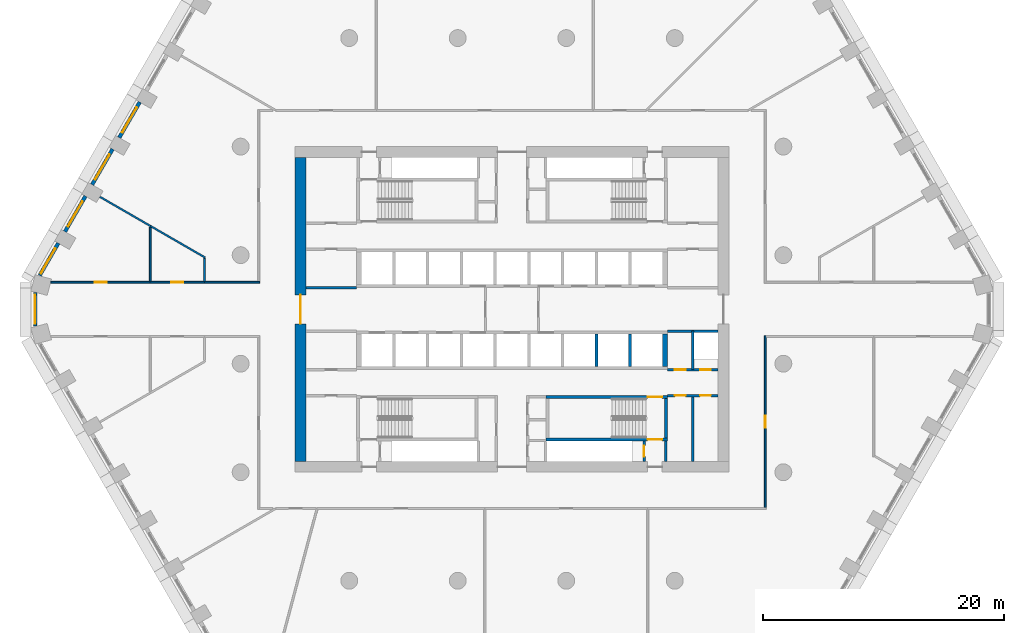
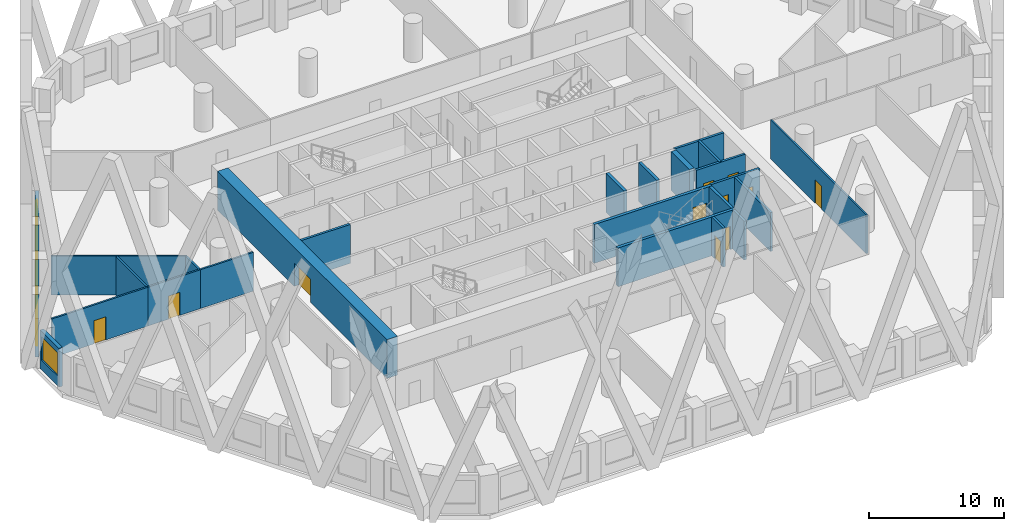
# One storey, part 4 of 18: 28 walls, 11 doors, 5 windows, 16 openings.
"""IFC4 building model written with IfcOpenShell, lengths in metres."""

from ifc_helpers import new_model, si_unit, direction, frame, frame_2d, origin, place, context, subcontext, project, spatial, polyline, rectangle, outline, extrude, material, layer, layer_set, type_object, element, fill, save


model = new_model("IFC4")

# Units and contexts
model_context = context("Model", 3, precision=1e-05, world=origin(), true_north=direction((0.0, 1.0)))
body_context = subcontext(model_context, "Body", "Model", "MODEL_VIEW")
ifc_project = project(units=[si_unit("LENGTHUNIT", "METRE"), si_unit("AREAUNIT", "SQUARE_METRE"), si_unit("VOLUMEUNIT", "CUBIC_METRE"), si_unit("PLANEANGLEUNIT", "RADIAN"), si_unit("MASSUNIT", "GRAM", prefix="KILO")], contexts=[model_context])

# Site, building, storey
site_placement = place(None, origin())
site = spatial("IfcSite", under=ifc_project, at=site_placement, CompositionType="ELEMENT")
building_placement = place(site_placement, origin())
building = spatial("IfcBuilding", under=site, at=building_placement, Name="Dhurran Vertical Campus", CompositionType="ELEMENT")
storey_placement = place(building_placement, frame((0.0, 0.0, 30.0)))
storey = spatial("IfcBuildingStorey", under=building, at=storey_placement, Name="L06", CompositionType="ELEMENT", Elevation=30.0)

# Wall, opening, window
ifc_material_1 = material(Name="Precast concrete C50/60", Category="concrete")
ifc_layer_1 = layer(ifc_material_1, 0.300048828125)
ifc_layer_set_1 = layer_set([ifc_layer_1], Name="Precast concrete C50/60")
wall_type_1 = type_object("IfcWallType", Name="Precast spandrel wall 300", PredefinedType="SOLIDWALL", material=ifc_layer_set_1)
wall_1_placement = place(storey_placement, frame((-30.869384765625, 17.186767578125, 0.0), z_axis=(0.0, 0.0, 1.0), x_axis=(-0.499993955907, -0.866028893315, 0.0)))
wall_1 = element("IfcWall", 1, at=wall_1_placement, inside=storey, type_object=wall_type_1, Name="EW1 L06.39", PredefinedType="SOLIDWALL", context=body_context, shape_type="SweptSolid", body=[
    extrude(rectangle(XDim=3.39892578125, YDim=0.300048828125, at=frame_2d((1.699462890625, 0.0))), origin(), (0.0, 0.0, 1.0), 3.52490234375),
])
opening_1_placement = place(wall_1_placement, frame((0.49951171875, 0.0, 0.89990234375)))
opening_1 = element("IfcOpeningElement", 2, at=opening_1_placement, cuts=wall_1, Name="Opening WT1", PredefinedType="OPENING", context=body_context, shape_type="SweptSolid", body=[
    extrude(rectangle(XDim=2.39990234375, YDim=2.10009765625, at=frame_2d((1.199951171875, 1.050048828125))), frame((0.0, 0.159912109375, 0.0), z_axis=(0.0, -1.0, 0.0), x_axis=(1.0, 0.0, 0.0)), (0.0, 0.0, 1.0), 0.320068359375),
])
ifc_material_2 = material(Name="Aluminium frame with solar-control glass", Category="aluminium")
window_type = type_object("IfcWindowType", Name="Punched window 2400 x 2100", PartitioningType="SINGLE_PANEL", PredefinedType="WINDOW", material=ifc_material_2)
window_1_placement = place(opening_1_placement, origin())
window_1 = element("IfcWindow", 3, at=window_1_placement, inside=storey, type_object=window_type, Name="WT1 L06.39", OverallHeight=2.10009765625, OverallWidth=2.39990234375, PartitioningType="SINGLE_PANEL", PredefinedType="WINDOW", context=body_context, shape_type="SweptSolid", body=[
    extrude(rectangle(XDim=2.39990234375, YDim=2.10009765625, at=frame_2d((1.199951171875, 1.050048828125))), frame((0.0, 0.030029296875, 0.0), z_axis=(0.0, -1.0, 0.0), x_axis=(1.0, 0.0, 0.0)), (0.0, 0.0, 1.0), 0.06005859375),
])
fill(opening_1, window_1)

wall_2_placement = place(storey_placement, frame((-33.119384765625, 13.28955078125, 0.0), z_axis=(0.0, 0.0, 1.0), x_axis=(-0.499993955907, -0.866028893315, 0.0)))
wall_2 = element("IfcWall", 4, at=wall_2_placement, inside=storey, type_object=wall_type_1, Name="EW1 L06.40", PredefinedType="SOLIDWALL", context=body_context, shape_type="SweptSolid", body=[
    extrude(rectangle(XDim=3.39892578125, YDim=0.300048828125, at=frame_2d((1.699462890625, 0.0))), origin(), (0.0, 0.0, 1.0), 3.52490234375),
])
opening_2_placement = place(wall_2_placement, frame((0.49951171875, 0.0, 0.89990234375)))
opening_2 = element("IfcOpeningElement", 5, at=opening_2_placement, cuts=wall_2, Name="Opening WT1", PredefinedType="OPENING", context=body_context, shape_type="SweptSolid", body=[
    extrude(rectangle(XDim=2.39990234375, YDim=2.10009765625, at=frame_2d((1.199951171875, 1.050048828125))), frame((0.0, 0.159912109375, 0.0), z_axis=(0.0, -1.0, 0.0), x_axis=(1.0, 0.0, 0.0)), (0.0, 0.0, 1.0), 0.320068359375),
])
window_2_placement = place(opening_2_placement, origin())
window_2 = element("IfcWindow", 6, at=window_2_placement, inside=storey, type_object=window_type, Name="WT1 L06.40", OverallHeight=2.10009765625, OverallWidth=2.39990234375, PartitioningType="SINGLE_PANEL", PredefinedType="WINDOW", context=body_context, shape_type="SweptSolid", body=[
    extrude(rectangle(XDim=2.39990234375, YDim=2.10009765625, at=frame_2d((1.199951171875, 1.050048828125))), frame((0.0, 0.030029296875, 0.0), z_axis=(0.0, -1.0, 0.0), x_axis=(1.0, 0.0, 0.0)), (0.0, 0.0, 1.0), 0.06005859375),
])
fill(opening_2, window_2)

wall_3_placement = place(storey_placement, frame((-35.369384765625, 9.392578125, 0.0), z_axis=(0.0, 0.0, 1.0), x_axis=(-0.499993955907, -0.866028893315, 0.0)))
wall_3 = element("IfcWall", 7, at=wall_3_placement, inside=storey, type_object=wall_type_1, Name="EW1 L06.41", PredefinedType="SOLIDWALL", context=body_context, shape_type="SweptSolid", body=[
    extrude(rectangle(XDim=3.39892578125, YDim=0.300048828125, at=frame_2d((1.699462890625, 0.0))), origin(), (0.0, 0.0, 1.0), 3.52490234375),
])
opening_3_placement = place(wall_3_placement, frame((0.49951171875, 0.0, 0.89990234375)))
opening_3 = element("IfcOpeningElement", 8, at=opening_3_placement, cuts=wall_3, Name="Opening WT1", PredefinedType="OPENING", context=body_context, shape_type="SweptSolid", body=[
    extrude(rectangle(XDim=2.39990234375, YDim=2.10009765625, at=frame_2d((1.199951171875, 1.050048828125))), frame((0.0, 0.159912109375, 0.0), z_axis=(0.0, -1.0, 0.0), x_axis=(1.0, 0.0, 0.0)), (0.0, 0.0, 1.0), 0.320068359375),
])
window_3_placement = place(opening_3_placement, origin())
window_3 = element("IfcWindow", 9, at=window_3_placement, inside=storey, type_object=window_type, Name="WT1 L06.41", OverallHeight=2.10009765625, OverallWidth=2.39990234375, PartitioningType="SINGLE_PANEL", PredefinedType="WINDOW", context=body_context, shape_type="SweptSolid", body=[
    extrude(rectangle(XDim=2.39990234375, YDim=2.10009765625, at=frame_2d((1.199951171875, 1.050048828125))), frame((0.0, 0.030029296875, 0.0), z_axis=(0.0, -1.0, 0.0), x_axis=(1.0, 0.0, 0.0)), (0.0, 0.0, 1.0), 0.06005859375),
])
fill(opening_3, window_3)

wall_4_placement = place(storey_placement, frame((-37.619384765625, 5.495361328125, 0.0), z_axis=(0.0, 0.0, 1.0), x_axis=(-0.49997090907, -0.866042198789, 0.0)))
wall_4 = element("IfcWall", 10, at=wall_4_placement, inside=storey, type_object=wall_type_1, Name="EW1 L06.42", PredefinedType="SOLIDWALL", context=body_context, shape_type="SweptSolid", body=[
    extrude(rectangle(XDim=3.090576171875, YDim=0.300048828125, at=frame_2d((1.54541015625, 0.0))), origin(), (0.0, 0.0, 1.0), 3.52490234375),
])
opening_4_placement = place(wall_4_placement, frame((0.49951171875, 0.0, 0.89990234375)))
opening_4 = element("IfcOpeningElement", 11, at=opening_4_placement, cuts=wall_4, Name="Opening WT1", PredefinedType="OPENING", context=body_context, shape_type="SweptSolid", body=[
    extrude(rectangle(XDim=2.39990234375, YDim=2.10009765625, at=frame_2d((1.199951171875, 1.050048828125))), frame((0.0, 0.159912109375, 0.0), z_axis=(0.0, -1.0, 0.0), x_axis=(1.0, 0.0, 0.0)), (0.0, 0.0, 1.0), 0.320068359375),
])
window_4_placement = place(opening_4_placement, origin())
window_4 = element("IfcWindow", 12, at=window_4_placement, inside=storey, type_object=window_type, Name="WT1 L06.42", OverallHeight=2.10009765625, OverallWidth=2.39990234375, PartitioningType="SINGLE_PANEL", PredefinedType="WINDOW", context=body_context, shape_type="SweptSolid", body=[
    extrude(rectangle(XDim=2.39990234375, YDim=2.10009765625, at=frame_2d((1.199951171875, 1.050048828125))), frame((0.0, 0.030029296875, 0.0), z_axis=(0.0, -1.0, 0.0), x_axis=(1.0, 0.0, 0.0)), (0.0, 0.0, 1.0), 0.06005859375),
])
fill(opening_4, window_4)

wall_5_placement = place(storey_placement, frame((-39.547119140625, 1.39111328125, 0.0), z_axis=(0.0, 0.0, 1.0), x_axis=(0.0, -1.0, 0.0)))
wall_5 = element("IfcWall", 13, at=wall_5_placement, inside=storey, type_object=wall_type_1, Name="EW1 L06.43", PredefinedType="SOLIDWALL", context=body_context, shape_type="SweptSolid", body=[
    extrude(rectangle(XDim=2.7822265625, YDim=0.300048828125, at=frame_2d((1.39111328125, 0.0))), origin(), (0.0, 0.0, 1.0), 3.52490234375),
])
opening_5_placement = place(wall_5_placement, frame((0.191162109375, 0.0, 0.89990234375)))
opening_5 = element("IfcOpeningElement", 14, at=opening_5_placement, cuts=wall_5, Name="Opening WT1", PredefinedType="OPENING", context=body_context, shape_type="SweptSolid", body=[
    extrude(rectangle(XDim=2.39990234375, YDim=2.10009765625, at=frame_2d((1.199951171875, 1.050048828125))), frame((0.0, 0.159912109375, 0.0), z_axis=(0.0, -1.0, 0.0), x_axis=(1.0, 0.0, 0.0)), (0.0, 0.0, 1.0), 0.320068359375),
])
window_5_placement = place(opening_5_placement, origin())
window_5 = element("IfcWindow", 15, at=window_5_placement, inside=storey, type_object=window_type, Name="WT1 L06.43", OverallHeight=2.10009765625, OverallWidth=2.39990234375, PartitioningType="SINGLE_PANEL", PredefinedType="WINDOW", context=body_context, shape_type="SweptSolid", body=[
    extrude(rectangle(XDim=2.39990234375, YDim=2.10009765625, at=frame_2d((1.199951171875, 1.050048828125))), frame((0.0, 0.030029296875, 0.0), z_axis=(0.0, -1.0, 0.0), x_axis=(1.0, 0.0, 0.0)), (0.0, 0.0, 1.0), 0.06005859375),
])
fill(opening_5, window_5)

# Wall, opening, door
ifc_material_3 = material(Name="Concrete C60/75", Category="concrete")
ifc_layer_2 = layer(ifc_material_3, 0.89990234375)
ifc_layer_set_2 = layer_set([ifc_layer_2], Name="Concrete C60/75")
wall_type_2 = type_object("IfcWallType", Name="co-CORE-WALL-C0-900", PredefinedType="SHEAR", material=ifc_layer_set_2)
wall_6_placement = place(storey_placement, frame((-17.550048828125, -12.60009765625, 0.0), z_axis=(0.0, 0.0, 1.0), x_axis=(0.0, 1.0, 0.0)))
wall_6 = element("IfcWall", 16, at=wall_6_placement, inside=storey, type_object=wall_type_2, Name="Core wall W L06", PredefinedType="SHEAR", context=body_context, shape_type="SweptSolid", body=[
    extrude(rectangle(XDim=25.2001953125, YDim=0.89990234375, at=frame_2d((12.60009765625, 0.0))), origin(), (0.0, 0.0, 1.0), 3.52490234375),
])
opening_6_placement = place(wall_6_placement, frame((11.39990234375, 0.0, 0.0)))
opening_6 = element("IfcOpeningElement", 17, at=opening_6_placement, cuts=wall_6, Name="Opening CL1", PredefinedType="OPENING", context=body_context, shape_type="SweptSolid", body=[
    extrude(rectangle(XDim=2.39990234375, YDim=2.10009765625, at=frame_2d((1.199951171875, 1.050048828125))), frame((0.0, 0.4599609375, 0.0), z_axis=(0.0, -1.0, 0.0), x_axis=(1.0, 0.0, 0.0)), (0.0, 0.0, 1.0), 0.919921875),
])
ifc_material_4 = material(Name="Fire-rated glazed door set")
door_type_1 = type_object("IfcDoorType", Name="co-D-LOBBY 2400x2100", OperationType="DOUBLE_DOOR_DOUBLE_SWING", PredefinedType="DOOR", material=ifc_material_4)
door_1_placement = place(opening_6_placement, origin())
door_1 = element("IfcDoor", 18, at=door_1_placement, inside=storey, type_object=door_type_1, Name="Lift lobby door W L06", OperationType="DOUBLE_DOOR_DOUBLE_SWING", OverallHeight=2.10009765625, OverallWidth=2.39990234375, PredefinedType="DOOR", context=body_context, shape_type="SweptSolid", body=[
    extrude(rectangle(XDim=2.39990234375, YDim=2.10009765625, at=frame_2d((1.199951171875, 1.050048828125))), frame((0.0, 0.02490234375, 0.0), z_axis=(0.0, -1.0, 0.0), x_axis=(1.0, 0.0, 0.0)), (0.0, 0.0, 1.0), 0.050048828125),
])
fill(opening_6, door_1)

# Wall
ifc_material_5 = material(Name="Fire-rated masonry blockwork", Category="masonry")
ifc_layer_3 = layer(ifc_material_5, 0.199951171875)
ifc_layer_set_3 = layer_set([ifc_layer_3], Name="Fire-rated masonry blockwork")
wall_type_3 = type_object("IfcWallType", Name="co-FIRE-PARTITION-200", PredefinedType="PARTITIONING", material=ifc_layer_set_3)
wall_7_placement = place(storey_placement, frame((12.75, -12.60009765625, 0.0), z_axis=(0.0, 0.0, 1.0), x_axis=(0.0, 1.0, 0.0)))
element("IfcWall", 19, at=wall_7_placement, inside=storey, type_object=wall_type_3, Name="Core partition pass-ST4-o L06", PredefinedType="PARTITIONING", context=body_context, shape_type="SweptSolid", body=[
    extrude(rectangle(XDim=1.7001953125, YDim=0.199951171875, at=frame_2d((0.85009765625, 0.0))), origin(), (0.0, 0.0, 1.0), 3.52490234375),
])

# Wall, opening, door
wall_8_placement = place(storey_placement, frame((10.949951171875, -12.60009765625, 0.0), z_axis=(0.0, 0.0, 1.0), x_axis=(0.0, 1.0, 0.0)))
wall_8 = element("IfcWall", 20, at=wall_8_placement, inside=storey, type_object=wall_type_3, Name="Core partition pass-ST4-i L06", PredefinedType="PARTITIONING", context=body_context, shape_type="SweptSolid", body=[
    extrude(rectangle(XDim=1.7001953125, YDim=0.199951171875, at=frame_2d((0.85009765625, 0.0))), origin(), (0.0, 0.0, 1.0), 3.52490234375),
])
opening_7_placement = place(wall_8_placement, frame((0.39990234375, 0.0, 0.0)))
opening_7 = element("IfcOpeningElement", 21, at=opening_7_placement, cuts=wall_8, Name="Opening T01-C12", PredefinedType="OPENING", context=body_context, shape_type="SweptSolid", body=[
    extrude(rectangle(XDim=0.89990234375, YDim=2.10009765625, at=frame_2d((0.449951171875, 1.050048828125))), frame((0.0, 0.10986328125, 0.0), z_axis=(0.0, -1.0, 0.0), x_axis=(1.0, 0.0, 0.0)), (0.0, 0.0, 1.0), 0.219970703125),
])
ifc_material_6 = material(Name="Fire-rated timber door set", Category="wood")
door_type_2 = type_object("IfcDoorType", Name="co-D-ROOM 900x2100", OperationType="SINGLE_SWING_LEFT", PredefinedType="DOOR", material=ifc_material_6)
door_2_placement = place(opening_7_placement, origin())
door_2 = element("IfcDoor", 22, at=door_2_placement, inside=storey, type_object=door_type_2, Name="Riser room door L06", OperationType="SINGLE_SWING_LEFT", OverallHeight=2.10009765625, OverallWidth=0.89990234375, PredefinedType="DOOR", context=body_context, shape_type="SweptSolid", body=[
    extrude(rectangle(XDim=0.89990234375, YDim=2.10009765625, at=frame_2d((0.449951171875, 1.050048828125))), frame((0.0, 0.02490234375, 0.0), z_axis=(0.0, -1.0, 0.0), x_axis=(1.0, 0.0, 0.0)), (0.0, 0.0, 1.0), 0.050048828125),
])
fill(opening_7, door_2)

# Walls
wall_9_placement = place(storey_placement, frame((-17.10009765625, 1.800048828125, 0.0), z_axis=(0.0, 0.0, 1.0), x_axis=(1.0, 0.0, 0.0)))
element("IfcWall", 23, at=wall_9_placement, inside=storey, type_object=wall_type_3, Name="Core partition es-NW-l L06", PredefinedType="PARTITIONING", context=body_context, shape_type="SweptSolid", body=[
    extrude(rectangle(XDim=4.2001953125, YDim=0.199951171875, at=frame_2d((2.10009765625, 0.0))), origin(), (0.0, 0.0, 1.0), 3.52490234375),
])
wall_10_placement = place(storey_placement, frame((15.0, -12.60009765625, 0.0), z_axis=(0.0, 0.0, 1.0), x_axis=(0.0, 1.0, 0.0)))
element("IfcWall", 24, at=wall_10_placement, inside=storey, type_object=wall_type_3, Name="Core partition en-SE-cut0 L06", PredefinedType="PARTITIONING", context=body_context, shape_type="SweptSolid", body=[
    extrude(rectangle(XDim=5.4501953125, YDim=0.199951171875, at=frame_2d((2.72509765625, 0.0))), origin(), (0.0, 0.0, 1.0), 3.52490234375),
])

# Wall, openings, doors
wall_11_placement = place(storey_placement, frame((12.89990234375, -7.14990234375, 0.0), z_axis=(0.0, 0.0, 1.0), x_axis=(1.0, 0.0, 0.0)))
wall_11 = element("IfcWall", 25, at=wall_11_placement, inside=storey, type_object=wall_type_3, Name="Core partition en-SE-w L06", PredefinedType="PARTITIONING", context=body_context, shape_type="SweptSolid", body=[
    extrude(rectangle(XDim=4.2001953125, YDim=0.199951171875, at=frame_2d((2.10009765625, 0.0))), origin(), (0.0, 0.0, 1.0), 3.52490234375),
])
opening_8_placement = place(wall_11_placement, frame((0.60009765625, 0.0, 0.0)))
opening_8 = element("IfcOpeningElement", 26, at=opening_8_placement, cuts=wall_11, Name="Opening T01-C19", PredefinedType="OPENING", context=body_context, shape_type="SweptSolid", body=[
    extrude(rectangle(XDim=0.89990234375, YDim=2.10009765625, at=frame_2d((0.449951171875, 1.050048828125))), frame((0.0, 0.10986328125, 0.0), z_axis=(0.0, -1.0, 0.0), x_axis=(1.0, 0.0, 0.0)), (0.0, 0.0, 1.0), 0.219970703125),
])
opening_9_placement = place(wall_11_placement, frame((2.699951171875, 0.0, 0.0)))
opening_9 = element("IfcOpeningElement", 27, at=opening_9_placement, cuts=wall_11, Name="Opening T01-C20", PredefinedType="OPENING", context=body_context, shape_type="SweptSolid", body=[
    extrude(rectangle(XDim=0.89990234375, YDim=2.10009765625, at=frame_2d((0.449951171875, 1.050048828125))), frame((0.0, 0.10986328125, 0.0), z_axis=(0.0, -1.0, 0.0), x_axis=(1.0, 0.0, 0.0)), (0.0, 0.0, 1.0), 0.219970703125),
])
door_3_placement = place(opening_8_placement, origin())
door_3 = element("IfcDoor", 28, at=door_3_placement, inside=storey, type_object=door_type_2, Name="Fire equipment store door L06", OperationType="SINGLE_SWING_LEFT", OverallHeight=2.10009765625, OverallWidth=0.89990234375, PredefinedType="DOOR", context=body_context, shape_type="SweptSolid", body=[
    extrude(rectangle(XDim=0.89990234375, YDim=2.10009765625, at=frame_2d((0.449951171875, 1.050048828125))), frame((0.0, 0.02490234375, 0.0), z_axis=(0.0, -1.0, 0.0), x_axis=(1.0, 0.0, 0.0)), (0.0, 0.0, 1.0), 0.050048828125),
])
fill(opening_8, door_3)
door_4_placement = place(opening_9_placement, origin())
door_4 = element("IfcDoor", 29, at=door_4_placement, inside=storey, type_object=door_type_2, Name="Housekeeping store door L06", OperationType="SINGLE_SWING_LEFT", OverallHeight=2.10009765625, OverallWidth=0.89990234375, PredefinedType="DOOR", context=body_context, shape_type="SweptSolid", body=[
    extrude(rectangle(XDim=0.89990234375, YDim=2.10009765625, at=frame_2d((0.449951171875, 1.050048828125))), frame((0.0, 0.02490234375, 0.0), z_axis=(0.0, -1.0, 0.0), x_axis=(1.0, 0.0, 0.0)), (0.0, 0.0, 1.0), 0.050048828125),
])
fill(opening_9, door_4)

# Wall
wall_12_placement = place(storey_placement, frame((15.0, -5.0, 0.0), z_axis=(0.0, 0.0, 1.0), x_axis=(0.0, 1.0, 0.0)))
element("IfcWall", 30, at=wall_12_placement, inside=storey, type_object=wall_type_3, Name="Core partition es-SE-cut0 L06", PredefinedType="PARTITIONING", context=body_context, shape_type="SweptSolid", body=[
    extrude(rectangle(XDim=3.199951171875, YDim=0.199951171875, at=frame_2d((1.60009765625, 0.0))), origin(), (0.0, 0.0, 1.0), 3.52490234375),
])

# Wall, openings, doors
wall_13_placement = place(storey_placement, frame((12.89990234375, -5.0, 0.0), z_axis=(0.0, 0.0, 1.0), x_axis=(1.0, 0.0, 0.0)))
wall_13 = element("IfcWall", 31, at=wall_13_placement, inside=storey, type_object=wall_type_3, Name="Core partition es-SE-w L06", PredefinedType="PARTITIONING", context=body_context, shape_type="SweptSolid", body=[
    extrude(rectangle(XDim=4.2001953125, YDim=0.199951171875, at=frame_2d((2.10009765625, 0.0))), origin(), (0.0, 0.0, 1.0), 3.52490234375),
])
opening_10_placement = place(wall_13_placement, frame((0.60009765625, 0.0, 0.0)))
opening_10 = element("IfcOpeningElement", 32, at=opening_10_placement, cuts=wall_13, Name="Opening T01-C21", PredefinedType="OPENING", context=body_context, shape_type="SweptSolid", body=[
    extrude(rectangle(XDim=0.89990234375, YDim=2.10009765625, at=frame_2d((0.449951171875, 1.050048828125))), frame((0.0, 0.10986328125, 0.0), z_axis=(0.0, -1.0, 0.0), x_axis=(1.0, 0.0, 0.0)), (0.0, 0.0, 1.0), 0.219970703125),
])
opening_11_placement = place(wall_13_placement, frame((2.699951171875, 0.0, 0.0)))
opening_11 = element("IfcOpeningElement", 33, at=opening_11_placement, cuts=wall_13, Name="Opening T01-C22", PredefinedType="OPENING", context=body_context, shape_type="SweptSolid", body=[
    extrude(rectangle(XDim=0.89990234375, YDim=2.10009765625, at=frame_2d((0.449951171875, 1.050048828125))), frame((0.0, 0.10986328125, 0.0), z_axis=(0.0, -1.0, 0.0), x_axis=(1.0, 0.0, 0.0)), (0.0, 0.0, 1.0), 0.219970703125),
])
door_5_placement = place(opening_10_placement, origin())
door_5 = element("IfcDoor", 34, at=door_5_placement, inside=storey, type_object=door_type_2, Name="Waste room door L06", OperationType="SINGLE_SWING_LEFT", OverallHeight=2.10009765625, OverallWidth=0.89990234375, PredefinedType="DOOR", context=body_context, shape_type="SweptSolid", body=[
    extrude(rectangle(XDim=0.89990234375, YDim=2.10009765625, at=frame_2d((0.449951171875, 1.050048828125))), frame((0.0, 0.02490234375, 0.0), z_axis=(0.0, -1.0, 0.0), x_axis=(1.0, 0.0, 0.0)), (0.0, 0.0, 1.0), 0.050048828125),
])
fill(opening_10, door_5)
door_6_placement = place(opening_11_placement, origin())
door_6 = element("IfcDoor", 35, at=door_6_placement, inside=storey, type_object=door_type_2, Name="Electrical riser door L06", OperationType="SINGLE_SWING_LEFT", OverallHeight=2.10009765625, OverallWidth=0.89990234375, PredefinedType="DOOR", context=body_context, shape_type="SweptSolid", body=[
    extrude(rectangle(XDim=0.89990234375, YDim=2.10009765625, at=frame_2d((0.449951171875, 1.050048828125))), frame((0.0, 0.02490234375, 0.0), z_axis=(0.0, -1.0, 0.0), x_axis=(1.0, 0.0, 0.0)), (0.0, 0.0, 1.0), 0.050048828125),
])
fill(opening_11, door_6)

# Walls
wall_14_placement = place(storey_placement, frame((12.89990234375, -1.800048828125, 0.0), z_axis=(0.0, 0.0, 1.0), x_axis=(1.0, 0.0, 0.0)))
element("IfcWall", 36, at=wall_14_placement, inside=storey, type_object=wall_type_3, Name="Core partition es-SE-l L06", PredefinedType="PARTITIONING", context=body_context, shape_type="SweptSolid", body=[
    extrude(rectangle(XDim=4.2001953125, YDim=0.199951171875, at=frame_2d((2.10009765625, 0.0))), origin(), (0.0, 0.0, 1.0), 3.52490234375),
])
ifc_material_7 = material(Name="Concrete C50/60", Category="concrete")
ifc_layer_4 = layer(ifc_material_7, 0.25)
ifc_layer_set_4 = layer_set([ifc_layer_4], Name="Concrete C50/60")
wall_type_4 = type_object("IfcWallType", Name="co-SHAFT-MASS-250", PredefinedType="SHEAR", material=ifc_layer_set_4)
wall_15_placement = place(storey_placement, origin())
element("IfcWall", 37, at=wall_15_placement, inside=storey, type_object=wall_type_4, Name="Lift shaft wall S L06 9", PredefinedType="SHEAR", context=body_context, shape_type="SweptSolid", body=[
    extrude(outline(polyline([(6.875, -4.75), (7.125, -4.75), (7.125, -2.050048828125), (6.875, -2.050048828125), (6.875, -4.75)])), origin(), (0.0, 0.0, 1.0), 3.52490234375),
])
wall_16_placement = place(storey_placement, origin())
element("IfcWall", 38, at=wall_16_placement, inside=storey, type_object=wall_type_4, Name="Lift shaft wall S L06 10", PredefinedType="SHEAR", context=body_context, shape_type="SweptSolid", body=[
    extrude(outline(polyline([(9.675048828125, -4.75), (9.925048828125, -4.75), (9.925048828125, -2.050048828125), (9.675048828125, -2.050048828125), (9.675048828125, -4.75)])), origin(), (0.0, 0.0, 1.0), 3.52490234375),
])
wall_17_placement = place(storey_placement, origin())
element("IfcWall", 39, at=wall_17_placement, inside=storey, type_object=wall_type_4, Name="Lift shaft wall S L06 11", PredefinedType="SHEAR", context=body_context, shape_type="SweptSolid", body=[
    extrude(outline(polyline([(12.47509765625, -4.75), (12.89990234375, -4.75), (12.89990234375, -2.050048828125), (12.47509765625, -2.050048828125), (12.47509765625, -4.75)])), origin(), (0.0, 0.0, 1.0), 3.52490234375),
])

# Wall, opening, door
ifc_material_8 = material(Name="Concrete C40/50", Category="concrete")
ifc_layer_5 = layer(ifc_material_8, 0.25)
ifc_layer_set_5 = layer_set([ifc_layer_5], Name="Concrete C40/50")
wall_type_5 = type_object("IfcWallType", Name="co-STAIR-WALL-250", PredefinedType="SHEAR", material=ifc_layer_set_5)
wall_18_placement = place(storey_placement, frame((2.800048828125, -10.77490234375, 0.0), z_axis=(0.0, 0.0, 1.0), x_axis=(1.0, 0.0, 0.0)))
wall_18 = element("IfcWall", 40, at=wall_18_placement, inside=storey, type_object=wall_type_5, Name="Stair ST4 enclosure wall L06", PredefinedType="SHEAR", context=body_context, shape_type="SweptSolid", body=[
    extrude(rectangle(XDim=10.099853515625, YDim=0.25, at=frame_2d((5.0498046875, 0.0))), origin(), (0.0, 0.0, 1.0), 3.52490234375),
])
opening_12_placement = place(wall_18_placement, frame((8.449951171875, 0.0, 0.0)))
opening_12 = element("IfcOpeningElement", 41, at=opening_12_placement, cuts=wall_18, Name="Opening XS4", PredefinedType="OPENING", context=body_context, shape_type="SweptSolid", body=[
    extrude(rectangle(XDim=1.199951171875, YDim=2.10009765625, at=frame_2d((0.60009765625, 1.050048828125))), frame((0.0, 0.135009765625, 0.0), z_axis=(0.0, -1.0, 0.0), x_axis=(1.0, 0.0, 0.0)), (0.0, 0.0, 1.0), 0.27001953125),
])
ifc_material_9 = material(Name="Fire-rated steel door set", Category="steel")
door_type_3 = type_object("IfcDoorType", Name="co-D-STAIR-EXIT 1200x2100", OperationType="SINGLE_SWING_RIGHT", PredefinedType="DOOR", material=ifc_material_9)
door_7_placement = place(opening_12_placement, origin())
door_7 = element("IfcDoor", 42, at=door_7_placement, inside=storey, type_object=door_type_3, Name="Stair ST4 discharge door L06", OperationType="SINGLE_SWING_RIGHT", OverallHeight=2.10009765625, OverallWidth=1.199951171875, PredefinedType="DOOR", context=body_context, shape_type="SweptSolid", body=[
    extrude(rectangle(XDim=1.199951171875, YDim=2.10009765625, at=frame_2d((0.60009765625, 1.050048828125))), frame((0.0, 0.02490234375, 0.0), z_axis=(0.0, -1.0, 0.0), x_axis=(1.0, 0.0, 0.0)), (0.0, 0.0, 1.0), 0.050048828125),
])
fill(opening_12, door_7)

wall_19_placement = place(storey_placement, frame((2.800048828125, -7.27490234375, 0.0), z_axis=(0.0, 0.0, 1.0), x_axis=(1.0, 0.0, 0.0)))
wall_19 = element("IfcWall", 43, at=wall_19_placement, inside=storey, type_object=wall_type_5, Name="Stair ST4 enclosure wall L06", PredefinedType="SHEAR", context=body_context, shape_type="SweptSolid", body=[
    extrude(rectangle(XDim=10.099853515625, YDim=0.25, at=frame_2d((5.0498046875, 0.0))), origin(), (0.0, 0.0, 1.0), 3.52490234375),
])
opening_13_placement = place(wall_19_placement, frame((8.449951171875, 0.0, 0.0)))
opening_13 = element("IfcOpeningElement", 44, at=opening_13_placement, cuts=wall_19, Name="Opening SD4", PredefinedType="OPENING", context=body_context, shape_type="SweptSolid", body=[
    extrude(rectangle(XDim=1.199951171875, YDim=2.10009765625, at=frame_2d((0.60009765625, 1.050048828125))), frame((0.0, 0.135009765625, 0.0), z_axis=(0.0, -1.0, 0.0), x_axis=(1.0, 0.0, 0.0)), (0.0, 0.0, 1.0), 0.27001953125),
])
ifc_material_10 = material(Name="Fire-rated steel door set", Category="steel")
door_type_4 = type_object("IfcDoorType", Name="co-D-STAIR 1200x2100", OperationType="SINGLE_SWING_LEFT", PredefinedType="DOOR", material=ifc_material_10)
door_8_placement = place(opening_13_placement, origin())
door_8 = element("IfcDoor", 45, at=door_8_placement, inside=storey, type_object=door_type_4, Name="Stair ST4 door L06", OperationType="SINGLE_SWING_LEFT", OverallHeight=2.10009765625, OverallWidth=1.199951171875, PredefinedType="DOOR", context=body_context, shape_type="SweptSolid", body=[
    extrude(rectangle(XDim=1.199951171875, YDim=2.10009765625, at=frame_2d((0.60009765625, 1.050048828125))), frame((0.0, 0.02490234375, 0.0), z_axis=(0.0, -1.0, 0.0), x_axis=(1.0, 0.0, 0.0)), (0.0, 0.0, 1.0), 0.050048828125),
])
fill(opening_13, door_8)

# Wall
wall_20_placement = place(storey_placement, frame((12.77490234375, -10.64990234375, 0.0), z_axis=(0.0, 0.0, 1.0), x_axis=(0.0, 1.0, 0.0)))
element("IfcWall", 46, at=wall_20_placement, inside=storey, type_object=wall_type_5, Name="Stair ST4 enclosure wall L06", PredefinedType="SHEAR", context=body_context, shape_type="SweptSolid", body=[
    extrude(rectangle(XDim=3.25, YDim=0.25, at=frame_2d((1.625, 0.0))), origin(), (0.0, 0.0, 1.0), 3.52490234375),
])

# Wall, opening, door
ifc_material_11 = material(Name="Gypsum board corridor wall on steel studs", Category="steel")
ifc_layer_6 = layer(ifc_material_11, 0.14990234375)
ifc_layer_set_6 = layer_set([ifc_layer_6], Name="Gypsum board corridor wall on steel studs")
wall_type_6 = type_object("IfcWallType", Name="fl-CW-150 corridor wall", PredefinedType="PARTITIONING", material=ifc_layer_set_6)
wall_21_placement = place(storey_placement, frame((-38.23291015625, 2.25, 0.0), z_axis=(0.0, 0.0, 1.0), x_axis=(1.0, 0.0, 0.0)))
wall_21 = element("IfcWall", 47, at=wall_21_placement, inside=storey, type_object=wall_type_6, Name="Partition 06-02", PredefinedType="PARTITIONING", context=body_context, shape_type="SweptSolid", body=[
    extrude(rectangle(XDim=8.23291015625, YDim=0.14990234375, at=frame_2d((4.116455078125, 0.0))), origin(), (0.0, 0.0, 1.0), 3.52490234375),
])
opening_14_placement = place(wall_21_placement, frame((3.616455078125, 0.0, 0.0)))
opening_14 = element("IfcOpeningElement", 48, at=opening_14_placement, cuts=wall_21, Name="Opening T01.02", PredefinedType="OPENING", context=body_context, shape_type="SweptSolid", body=[
    extrude(rectangle(XDim=1.0, YDim=2.10009765625, at=frame_2d((0.5, 1.050048828125))), frame((0.0, 0.0849609375, 0.0), z_axis=(0.0, -1.0, 0.0), x_axis=(1.0, 0.0, 0.0)), (0.0, 0.0, 1.0), 0.169921875),
])
ifc_material_12 = material(Name="Solid-core timber door set, fire-rated", Category="wood")
door_type_5 = type_object("IfcDoorType", Name="fl-D-1000x2100", OperationType="SINGLE_SWING_LEFT", PredefinedType="DOOR", material=ifc_material_12)
door_9_placement = place(opening_14_placement, origin())
door_9 = element("IfcDoor", 49, at=door_9_placement, inside=storey, type_object=door_type_5, Name="Door 06.02", OperationType="SINGLE_SWING_LEFT", OverallHeight=2.10009765625, OverallWidth=1.0, PredefinedType="DOOR", context=body_context, shape_type="SweptSolid", body=[
    extrude(rectangle(XDim=1.0, YDim=2.10009765625, at=frame_2d((0.5, 1.050048828125))), frame((0.0, 0.02490234375, 0.0), z_axis=(0.0, -1.0, 0.0), x_axis=(1.0, 0.0, 0.0)), (0.0, 0.0, 1.0), 0.050048828125),
])
fill(opening_14, door_9)

wall_22_placement = place(storey_placement, frame((-30.0, 2.25, 0.0), z_axis=(0.0, 0.0, 1.0), x_axis=(1.0, 0.0, 0.0)))
wall_22 = element("IfcWall", 50, at=wall_22_placement, inside=storey, type_object=wall_type_6, Name="Partition 06-09", PredefinedType="PARTITIONING", context=body_context, shape_type="SweptSolid", body=[
    extrude(rectangle(XDim=4.5, YDim=0.14990234375, at=frame_2d((2.25, 0.0))), origin(), (0.0, 0.0, 1.0), 3.52490234375),
])
opening_15_placement = place(wall_22_placement, frame((1.75, 0.0, 0.0)))
opening_15 = element("IfcOpeningElement", 51, at=opening_15_placement, cuts=wall_22, Name="Opening T01.04", PredefinedType="OPENING", context=body_context, shape_type="SweptSolid", body=[
    extrude(rectangle(XDim=1.0, YDim=2.10009765625, at=frame_2d((0.5, 1.050048828125))), frame((0.0, 0.0849609375, 0.0), z_axis=(0.0, -1.0, 0.0), x_axis=(1.0, 0.0, 0.0)), (0.0, 0.0, 1.0), 0.169921875),
])
door_10_placement = place(opening_15_placement, origin())
door_10 = element("IfcDoor", 52, at=door_10_placement, inside=storey, type_object=door_type_5, Name="Door 06.04", OperationType="SINGLE_SWING_RIGHT", OverallHeight=2.10009765625, OverallWidth=1.0, PredefinedType="DOOR", context=body_context, shape_type="SweptSolid", body=[
    extrude(rectangle(XDim=1.0, YDim=2.10009765625, at=frame_2d((0.5, 1.050048828125))), frame((0.0, 0.02490234375, 0.0), z_axis=(0.0, -1.0, 0.0), x_axis=(1.0, 0.0, 0.0)), (0.0, 0.0, 1.0), 0.050048828125),
])
fill(opening_15, door_10)

# Wall
wall_23_placement = place(storey_placement, frame((-25.5, 2.25, 0.0), z_axis=(0.0, 0.0, 1.0), x_axis=(1.0, 0.0, 0.0)))
element("IfcWall", 53, at=wall_23_placement, inside=storey, type_object=wall_type_6, Name="Partition 06-16", PredefinedType="PARTITIONING", context=body_context, shape_type="SweptSolid", body=[
    extrude(rectangle(XDim=4.574951171875, YDim=0.14990234375, at=frame_2d((2.28759765625, 0.0))), origin(), (0.0, 0.0, 1.0), 3.52490234375),
])

# Wall, opening, door
wall_24_placement = place(storey_placement, frame((21.0, -16.425048828125, 0.0), z_axis=(0.0, 0.0, 1.0), x_axis=(0.0, 1.0, 0.0)))
wall_24 = element("IfcWall", 54, at=wall_24_placement, inside=storey, type_object=wall_type_6, Name="Partition 06-37", PredefinedType="PARTITIONING", context=body_context, shape_type="SweptSolid", body=[
    extrude(rectangle(XDim=14.25, YDim=0.14990234375, at=frame_2d((7.125, 0.0))), origin(), (0.0, 0.0, 1.0), 3.52490234375),
])
opening_16_placement = place(wall_24_placement, frame((6.625, 0.0, 0.0)))
opening_16 = element("IfcOpeningElement", 55, at=opening_16_placement, cuts=wall_24, Name="Opening T01.14", PredefinedType="OPENING", context=body_context, shape_type="SweptSolid", body=[
    extrude(rectangle(XDim=1.0, YDim=2.10009765625, at=frame_2d((0.5, 1.050048828125))), frame((0.0, 0.0849609375, 0.0), z_axis=(0.0, -1.0, 0.0), x_axis=(1.0, 0.0, 0.0)), (0.0, 0.0, 1.0), 0.169921875),
])
door_11_placement = place(opening_16_placement, origin())
door_11 = element("IfcDoor", 56, at=door_11_placement, inside=storey, type_object=door_type_5, Name="Door 06.14", OperationType="SINGLE_SWING_RIGHT", OverallHeight=2.10009765625, OverallWidth=1.0, PredefinedType="DOOR", context=body_context, shape_type="SweptSolid", body=[
    extrude(rectangle(XDim=1.0, YDim=2.10009765625, at=frame_2d((0.5, 1.050048828125))), frame((0.0, 0.02490234375, 0.0), z_axis=(0.0, -1.0, 0.0), x_axis=(1.0, 0.0, 0.0)), (0.0, 0.0, 1.0), 0.050048828125),
])
fill(opening_16, door_11)

# Walls
ifc_material_13 = material(Name="Gypsum board partition on steel studs", Category="steel")
ifc_layer_7 = layer(ifc_material_13, 0.14990234375)
ifc_layer_set_7 = layer_set([ifc_layer_7], Name="Gypsum board partition on steel studs")
wall_type_7 = type_object("IfcWallType", Name="fl-PW-150 fixed partition", PredefinedType="PARTITIONING", material=ifc_layer_set_7)
wall_25_placement = place(storey_placement, frame((-34.16748046875, 9.334228515625, 0.0), z_axis=(0.0, 0.0, 1.0), x_axis=(0.866011543723, -0.500024005562, 0.0)))
element("IfcWall", 57, at=wall_25_placement, inside=storey, type_object=wall_type_7, Name="Partition 06-04", PredefinedType="PARTITIONING", context=body_context, shape_type="SweptSolid", body=[
    extrude(rectangle(XDim=4.812255859375, YDim=0.14990234375, at=frame_2d((2.40625, 0.0))), origin(), (0.0, 0.0, 1.0), 3.52490234375),
])
wall_26_placement = place(storey_placement, frame((-30.0, 6.798095703125, 0.0), z_axis=(0.0, 0.0, 1.0), x_axis=(0.0, -1.0, 0.0)))
element("IfcWall", 58, at=wall_26_placement, inside=storey, type_object=wall_type_7, Name="Partition 06-08", PredefinedType="PARTITIONING", context=body_context, shape_type="SweptSolid", body=[
    extrude(rectangle(XDim=4.47314453125, YDim=0.14990234375, at=frame_2d((2.236572265625, 0.0))), origin(), (0.0, 0.0, 1.0), 3.52490234375),
])
wall_27_placement = place(storey_placement, frame((-30.0, 6.927978515625, 0.0), z_axis=(0.0, 0.0, 1.0), x_axis=(0.866031326857, -0.499989740797, 0.0)))
element("IfcWall", 59, at=wall_27_placement, inside=storey, type_object=wall_type_7, Name="Partition 06-10", PredefinedType="PARTITIONING", context=body_context, shape_type="SweptSolid", body=[
    extrude(rectangle(XDim=5.27099609375, YDim=0.14990234375, at=frame_2d((2.635498046875, 0.0))), origin(), (0.0, 0.0, 1.0), 3.52490234375),
])
wall_28_placement = place(storey_placement, frame((-25.5, 4.22998046875, 0.0), z_axis=(0.0, 0.0, 1.0), x_axis=(0.0, -1.0, 0.0)))
element("IfcWall", 60, at=wall_28_placement, inside=storey, type_object=wall_type_7, Name="Partition 06-15", PredefinedType="PARTITIONING", context=body_context, shape_type="SweptSolid", body=[
    extrude(rectangle(XDim=1.905029296875, YDim=0.14990234375, at=frame_2d((0.95263671875, 0.0))), origin(), (0.0, 0.0, 1.0), 3.52490234375),
])

save(model, "model.ifc")
